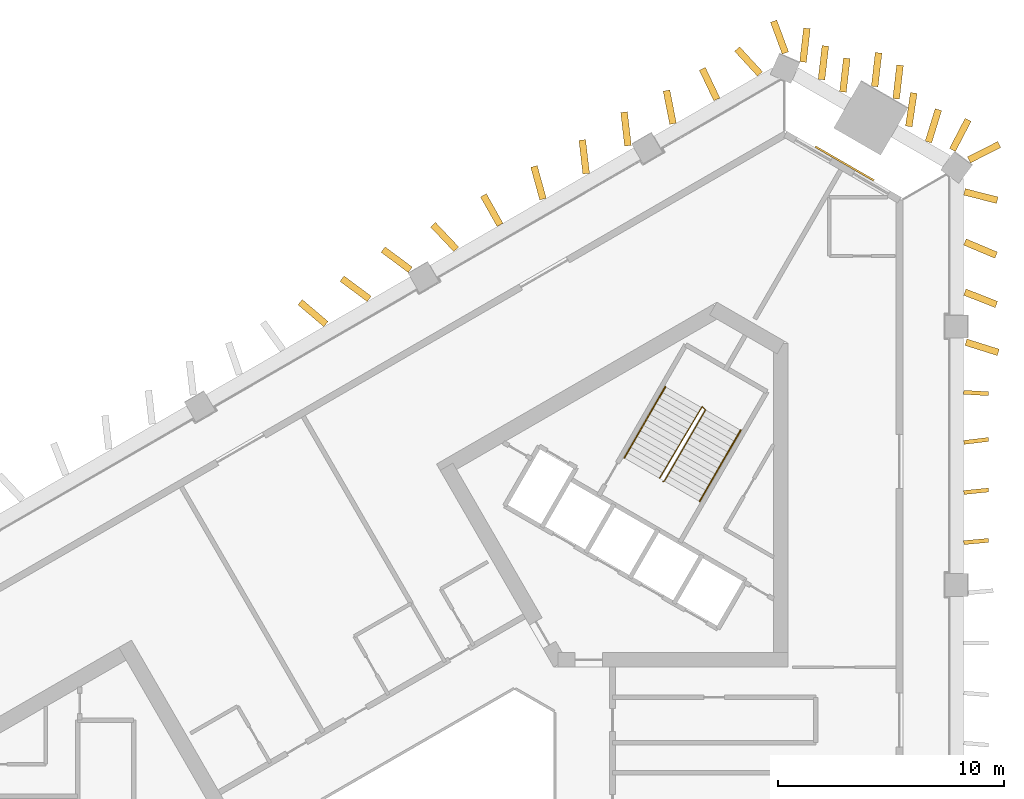
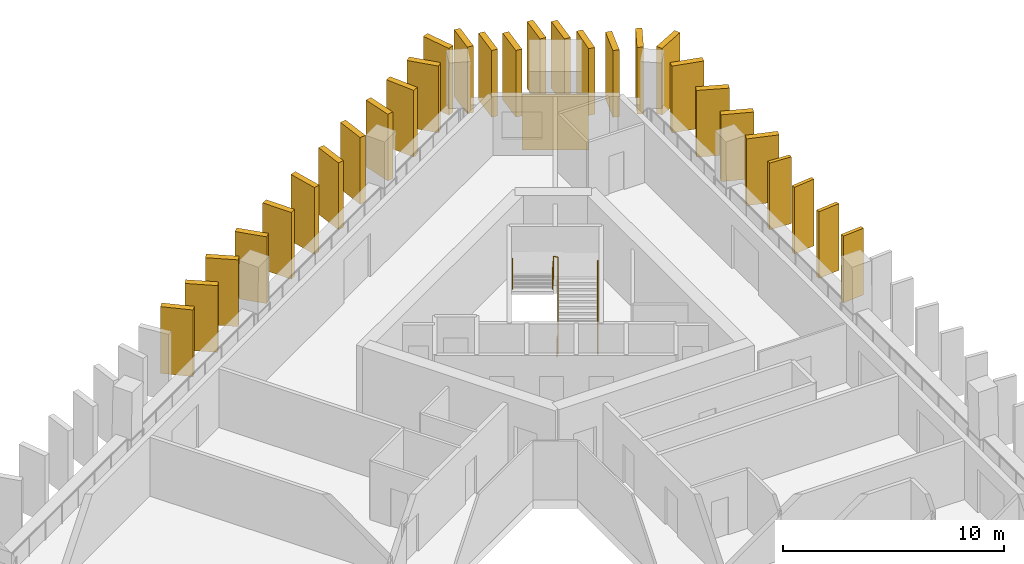
# One storey, part 11 of 11: 29 shading devices, 3 railings, 1 covering.
"""IFC4 building model written with IfcOpenShell, lengths in metres."""

from ifc_helpers import new_model, si_unit, direction, frame, frame_2d, origin, origin_2d, place, context, subcontext, project, spatial, rectangle, circle, extrude, material, layer, layer_set, type_object, element, save


model = new_model("IFC4")

# Units and contexts
model_context = context("Model", 3, precision=1e-05, world=origin(), true_north=direction((0.0, 1.0)))
body_context = subcontext(model_context, "Body", "Model", "MODEL_VIEW")
ifc_project = project(units=[si_unit("LENGTHUNIT", "METRE"), si_unit("AREAUNIT", "SQUARE_METRE"), si_unit("VOLUMEUNIT", "CUBIC_METRE"), si_unit("PLANEANGLEUNIT", "RADIAN"), si_unit("MASSUNIT", "GRAM", prefix="KILO")], contexts=[model_context])

# Site, building, storey
site_placement = place(None, origin())
site = spatial("IfcSite", under=ifc_project, at=site_placement, CompositionType="ELEMENT")
building_placement = place(site_placement, origin())
building = spatial("IfcBuilding", under=site, at=building_placement, Name="Jabali Bay Hotel Tower and Convention Centre", CompositionType="ELEMENT")
storey_placement = place(building_placement, frame((0.0, 0.0, 114.199951171875)))
storey = spatial("IfcBuildingStorey", under=building, at=storey_placement, Name="L27", CompositionType="ELEMENT", Elevation=114.199951171875)

# Shading devices
ifc_material_1 = material(Name="Precast concrete C60", Category="concrete")
ifc_layer_1 = layer(ifc_material_1, 0.179931640625)
ifc_layer_set_1 = layer_set([ifc_layer_1], Name="Precast concrete C60")
shading_device_type_1 = type_object("IfcShadingDeviceType", Name="Precast fin 3680 x 1100", PredefinedType="USERDEFINED", material=ifc_layer_set_1)
for number, where, z_axis, x_axis, name in (
    (1, (97.650390625, 93.30712890625, 0.010009765625), (0.0, 0.0, 1.0), (0.996051735078, 0.088774664445, 0.0), "Fin L27 019"),
    (2, (97.651611328125, 95.52490234375, 0.010009765625), (0.0, 0.0, 1.0), (0.994955553407, 0.10031673213, 0.0), "Fin L27 020"),
):
    element("IfcShadingDevice", number, at=place(storey_placement, frame(where, z_axis=z_axis, x_axis=x_axis)), inside=storey, type_object=shading_device_type_1, Name=name, ObjectType="FIN", PredefinedType="USERDEFINED", context=body_context, shape_type="SweptSolid", body=[
        extrude(rectangle(XDim=1.10009765625, YDim=0.179931640625, at=frame_2d((0.550048828125, 0.0))), origin(), (0.0, 0.0, 1.0), 3.679931640625),
    ])
shading_device_1_placement = place(storey_placement, frame((97.6533203125, 97.742919921875, 0.010009765625), z_axis=(0.0, 0.0, 1.0), x_axis=(0.992896781354, 0.11897891232, 0.0)))
element("IfcShadingDevice", 3, at=shading_device_1_placement, inside=storey, type_object=shading_device_type_1, Name="Fin L27 021", ObjectType="FIN", PredefinedType="USERDEFINED", context=body_context, shape_type="SweptSolid", body=[
    extrude(rectangle(XDim=1.099853515625, YDim=0.179931640625, at=frame_2d((0.5498046875, 0.0))), origin(), (0.0, 0.0, 1.0), 3.679931640625),
])
shading_device_2_placement = place(storey_placement, frame((97.6474609375, 99.960693359375, 0.010009765625), z_axis=(0.0, 0.0, 1.0), x_axis=(0.9984225685, -0.05614601241, 0.0)))
element("IfcShadingDevice", 4, at=shading_device_2_placement, inside=storey, type_object=shading_device_type_1, Name="Fin L27 022", ObjectType="FIN", PredefinedType="USERDEFINED", context=body_context, shape_type="SweptSolid", body=[
    extrude(rectangle(XDim=1.10009765625, YDim=0.179931640625, at=frame_2d((0.550048828125, 0.0))), origin(), (0.0, 0.0, 1.0), 3.679931640625),
])
ifc_layer_2 = layer(ifc_material_1, 0.300048828125)
ifc_layer_set_2 = layer_set([ifc_layer_2], Name="Precast concrete C60")
shading_device_type_2 = type_object("IfcShadingDeviceType", Name="Precast fin 3680 x 1500", PredefinedType="USERDEFINED", material=ifc_layer_set_2)
for number, where, z_axis, x_axis, name in (
    (5, (97.74560546875, 102.178466796875, 0.010009765625), (0.0, 0.0, 1.0), (0.953700655559, -0.300757476361, 0.0), "Fin L27 023"),
    (6, (97.697021484375, 104.396484375, 0.010009765625), (0.0, 0.0, 1.0), (0.931245180888, -0.364393212165, 0.0), "Fin L27 024"),
    (7, (97.70068359375, 106.6142578125, 0.010009765625), (0.0, 0.0, 1.0), (0.921659881712, -0.387998791807, 0.0), "Fin L27 025"),
    (8, (97.67919921875, 108.83203125, 0.010009765625), (0.0, 0.0, 1.0), (0.969777571996, -0.243990698292, 0.0), "Fin L27 026"),
):
    element("IfcShadingDevice", number, at=place(storey_placement, frame(where, z_axis=z_axis, x_axis=x_axis)), inside=storey, type_object=shading_device_type_2, Name=name, ObjectType="FIN", PredefinedType="USERDEFINED", context=body_context, shape_type="SweptSolid", body=[
        extrude(rectangle(XDim=1.5, YDim=0.300048828125, at=frame_2d((0.75, 0.0))), origin(), (0.0, 0.0, 1.0), 3.679931640625),
    ])
shading_device_3_placement = place(storey_placement, frame((97.150390625, 110.69140625, 0.010009765625), z_axis=(0.0, 0.0, 1.0), x_axis=(0.461542320957, 0.887118191655, 0.0)))
element("IfcShadingDevice", 9, at=shading_device_3_placement, inside=storey, type_object=shading_device_type_2, Name="Fin L27 027", ObjectType="FIN", PredefinedType="USERDEFINED", context=body_context, shape_type="SweptSolid", body=[
    extrude(rectangle(XDim=1.500244140625, YDim=0.300048828125, at=frame_2d((0.75, 0.0))), origin(), (0.0, 0.0, 1.0), 3.679931640625),
])
for number, where, z_axis, x_axis, name in (
    (10, (96.0859375, 111.04052734375, 0.010009765625), (0.0, 0.0, 1.0), (0.294417492329, 0.955676901579, 0.0), "Fin L27 028"),
    (11, (95.217529296875, 111.728759765625, 0.010009765625), (0.0, 0.0, 1.0), (0.146979271661, 0.989139572407, 0.0), "Fin L27 029"),
):
    element("IfcShadingDevice", number, at=place(storey_placement, frame(where, z_axis=z_axis, x_axis=x_axis)), inside=storey, type_object=shading_device_type_2, Name=name, ObjectType="FIN", PredefinedType="USERDEFINED", context=body_context, shape_type="SweptSolid", body=[
        extrude(rectangle(XDim=1.5, YDim=0.300048828125, at=frame_2d((0.75, 0.0))), origin(), (0.0, 0.0, 1.0), 3.679931640625),
    ])
for number, where, z_axis, x_axis, name in (
    (12, (94.656494140625, 112.94970703125, 0.010009765625), (0.0, 0.0, 1.0), (0.114735296621, 0.993396100108, 0.0), "Fin L27 030"),
    (13, (93.70703125, 113.497802734375, 0.010009765625), (0.0, 0.0, 1.0), (0.114895894815, 0.993377538177, 0.0), "Fin L27 031"),
):
    element("IfcShadingDevice", number, at=place(storey_placement, frame(where, z_axis=z_axis, x_axis=x_axis)), inside=storey, type_object=shading_device_type_2, Name=name, ObjectType="FIN", PredefinedType="USERDEFINED", context=body_context, shape_type="SweptSolid", body=[
        extrude(rectangle(XDim=1.500244140625, YDim=0.300048828125, at=frame_2d((0.75, 0.0))), origin(), (0.0, 0.0, 1.0), 3.679931640625),
    ])
shading_device_4_placement = place(storey_placement, frame((92.301513671875, 113.255859375, 0.010009765625), z_axis=(0.0, 0.0, 1.0), x_axis=(0.114753848896, 0.993393957181, 0.0)))
element("IfcShadingDevice", 14, at=shading_device_4_placement, inside=storey, type_object=shading_device_type_2, Name="Fin L27 032", ObjectType="FIN", PredefinedType="USERDEFINED", context=body_context, shape_type="SweptSolid", body=[
    extrude(rectangle(XDim=1.5, YDim=0.300048828125, at=frame_2d((0.75, 0.0))), origin(), (0.0, 0.0, 1.0), 3.679931640625),
])
shading_device_5_placement = place(storey_placement, frame((91.35205078125, 113.803955078125, 0.010009765625), z_axis=(0.0, 0.0, 1.0), x_axis=(0.114735296621, 0.993396100108, 0.0)))
element("IfcShadingDevice", 15, at=shading_device_5_placement, inside=storey, type_object=shading_device_type_2, Name="Fin L27 033", ObjectType="FIN", PredefinedType="USERDEFINED", context=body_context, shape_type="SweptSolid", body=[
    extrude(rectangle(XDim=1.500244140625, YDim=0.300048828125, at=frame_2d((0.75, 0.0))), origin(), (0.0, 0.0, 1.0), 3.679931640625),
])
for number, where, z_axis, x_axis, name in (
    (16, (90.534912109375, 114.58154296875, 0.010009765625), (0.0, 0.0, 1.0), (0.114914472364, 0.993375389287, 0.0), "Fin L27 034"),
    (17, (88.6318359375, 114.053466796875, 0.010009765625), (0.0, 0.0, 1.0), (-0.677035376006, 0.73595047363, 0.0), "Fin L27 035"),
    (18, (86.721435546875, 112.92626953125, 0.010009765625), (0.0, 0.0, 1.0), (-0.430337880464, 0.902667883908, 0.0), "Fin L27 036"),
    (19, (84.782470703125, 111.848876953125, 0.010009765625), (0.0, 0.0, 1.0), (-0.195145756449, 0.98077425218, 0.0), "Fin L27 037"),
):
    element("IfcShadingDevice", number, at=place(storey_placement, frame(where, z_axis=z_axis, x_axis=x_axis)), inside=storey, type_object=shading_device_type_2, Name=name, ObjectType="FIN", PredefinedType="USERDEFINED", context=body_context, shape_type="SweptSolid", body=[
        extrude(rectangle(XDim=1.5, YDim=0.300048828125, at=frame_2d((0.75, 0.0))), origin(), (0.0, 0.0, 1.0), 3.679931640625),
    ])
for number, where, z_axis, x_axis, name in (
    (20, (82.784423828125, 110.873779296875, 0.010009765625), (0.0, 0.0, 1.0), (-0.114735296621, 0.993396100108, 0.0), "Fin L27 038"),
    (21, (80.935546875, 109.640869140625, 0.010009765625), (0.0, 0.0, 1.0), (-0.114895894815, 0.993377538177, 0.0), "Fin L27 039"),
):
    element("IfcShadingDevice", number, at=place(storey_placement, frame(where, z_axis=z_axis, x_axis=x_axis)), inside=storey, type_object=shading_device_type_2, Name=name, ObjectType="FIN", PredefinedType="USERDEFINED", context=body_context, shape_type="SweptSolid", body=[
        extrude(rectangle(XDim=1.500244140625, YDim=0.300048828125, at=frame_2d((0.75, 0.0))), origin(), (0.0, 0.0, 1.0), 3.679931640625),
    ])
for number, where, z_axis, x_axis, name in (
    (22, (79.025634765625, 108.512939453125, 0.010009765625), (0.0, 0.0, 1.0), (-0.266930247731, 0.963715851715, 0.0), "Fin L27 040"),
    (23, (77.123046875, 107.372802734375, 0.010009765625), (0.0, 0.0, 1.0), (-0.49087157447, 0.871231942354, 0.0), "Fin L27 041"),
    (24, (75.185546875, 106.292724609375, 0.010009765625), (0.0, 0.0, 1.0), (-0.688141817585, 0.725576211635, 0.0), "Fin L27 042"),
):
    element("IfcShadingDevice", number, at=place(storey_placement, frame(where, z_axis=z_axis, x_axis=x_axis)), inside=storey, type_object=shading_device_type_2, Name=name, ObjectType="FIN", PredefinedType="USERDEFINED", context=body_context, shape_type="SweptSolid", body=[
        extrude(rectangle(XDim=1.5, YDim=0.300048828125, at=frame_2d((0.75, 0.0))), origin(), (0.0, 0.0, 1.0), 3.679931640625),
    ])
shading_device_6_placement = place(storey_placement, frame((73.148681640625, 105.385009765625, 0.010009765625), z_axis=(0.0, 0.0, 1.0), x_axis=(-0.802881868529, 0.596138159479, 0.0)))
element("IfcShadingDevice", 25, at=shading_device_6_placement, inside=storey, type_object=shading_device_type_2, Name="Fin L27 043", ObjectType="FIN", PredefinedType="USERDEFINED", context=body_context, shape_type="SweptSolid", body=[
    extrude(rectangle(XDim=1.499755859375, YDim=0.300048828125, at=frame_2d((0.75, 0.0))), origin(), (0.0, 0.0, 1.0), 3.679931640625),
])
for number, where, z_axis, x_axis, name in (
    (26, (71.331787109375, 104.09619140625, 0.010009765625), (0.0, 0.0, 1.0), (-0.802861809091, 0.596165174681, 0.0), "Fin L27 044"),
    (27, (69.415771484375, 102.9794921875, 0.010009765625), (0.0, 0.0, 1.0), (-0.761927269326, 0.647662594456, 0.0), "Fin L27 045"),
    (28, (97.8837890625, 110.2490234375, 0.010009765625), (0.0, 0.0, 1.0), (0.891015894123, 0.453972109739, 0.0), "Fin L27 106"),
):
    element("IfcShadingDevice", number, at=place(storey_placement, frame(where, z_axis=z_axis, x_axis=x_axis)), inside=storey, type_object=shading_device_type_2, Name=name, ObjectType="FIN", PredefinedType="USERDEFINED", context=body_context, shape_type="SweptSolid", body=[
        extrude(rectangle(XDim=1.5, YDim=0.300048828125, at=frame_2d((0.75, 0.0))), origin(), (0.0, 0.0, 1.0), 3.679931640625),
    ])
shading_device_7_placement = place(storey_placement, frame((89.754638671875, 114.98291015625, 0.010009765625), z_axis=(0.0, 0.0, 1.0), x_axis=(-0.348178355748, 0.937428307973, 0.0)))
element("IfcShadingDevice", 29, at=shading_device_7_placement, inside=storey, type_object=shading_device_type_2, Name="Fin L27 107", ObjectType="FIN", PredefinedType="USERDEFINED", context=body_context, shape_type="SweptSolid", body=[
    extrude(rectangle(XDim=1.499755859375, YDim=0.300048828125, at=frame_2d((0.75, 0.0))), origin(), (0.0, 0.0, 1.0), 3.679931640625),
])

# Covering
ifc_material_2 = material(Name="Precast concrete C40/50", Category="concrete")
ifc_layer_3 = layer(ifc_material_2, 0.080078125)
ifc_layer_set_3 = layer_set([ifc_layer_3], Name="Precast concrete C40/50")
covering_type = type_object("IfcCoveringType", Name="Relief panel 3000 x 3050", PredefinedType="CLADDING", material=ifc_layer_set_3)
covering_placement = place(storey_placement, frame((92.372314453125, 110.08984375, 0.10009765625), z_axis=(0.0, 0.0, 1.0), x_axis=(0.86602540539, -0.499999997219, 0.0)))
element("IfcCovering", 30, at=covering_placement, inside=storey, type_object=covering_type, Name="Relief panel L27", PredefinedType="CLADDING", context=body_context, shape_type="SweptSolid", body=[
    extrude(rectangle(XDim=3.0, YDim=0.080078125, at=origin_2d()), origin(), (0.0, 0.0, 1.0), 3.050048828125),
])

# Railings
ifc_material_3 = material(Name="Steel Q355B", Category="steel")
railing_type_1 = type_object("IfcRailingType", Name="Stair guard 1100", PredefinedType="GUARDRAIL", material=ifc_material_3)
railing_1_placement = place(storey_placement, frame((84.329833984375, 96.010009765625, 0.0)))
element("IfcRailing", 31, at=railing_1_placement, inside=storey, type_object=railing_type_1, Name="L27 ST2 stair guard 1", PredefinedType="GUARDRAIL", context=body_context, shape_type="SweptSolid", body=[
    extrude(circle(Radius=0.02392578125, at=origin_2d()), frame((0.0, 0.0, 1.076171875), z_axis=(0.456201556387, 0.122196845461, 0.881446578591), x_axis=(-0.258736085224, 0.965948051503, 0.0)), (0.0, 0.0, 1.0), 0.14990234375),
    extrude(circle(Radius=0.02392578125, at=origin_2d()), frame((0.068359375, 0.018310546875, 1.2080078125), z_axis=(0.45217862506, 0.783169739339, 0.426825081763), x_axis=(-0.866018046521, 0.500012742938, 0.0)), (0.0, 0.0, 1.0), 4.025146484375),
    extrude(circle(Radius=0.02392578125, at=origin_2d()), frame((1.888427734375, 3.170654296875, 2.92626953125), z_axis=(-0.718850276695, 0.695164929852, 0.0), x_axis=(-0.695164929852, -0.718850276695, 0.0)), (0.0, 0.0, 1.0), 0.2060546875),
    extrude(circle(Radius=0.02392578125, at=origin_2d()), frame((1.740234375, 3.31396484375, 2.92626953125), z_axis=(-0.457457462341, -0.768067235091, 0.448113147015), x_axis=(0.859157857954, -0.511710636118, 0.0)), (0.0, 0.0, 1.0), 4.128173828125),
    extrude(circle(Radius=0.02099609375, at=origin_2d()), origin(), (0.0, 0.0, 1.0), 1.052001953125),
    extrude(circle(Radius=0.02099609375, at=origin_2d()), frame((0.068359375, 0.018310546875, 0.132080078125)), (0.0, 0.0, 1.0), 1.052001953125),
    extrude(circle(Radius=0.02099609375, at=origin_2d()), frame((0.5234375, 0.806396484375, 0.5615234375)), (0.0, 0.0, 1.0), 1.052001953125),
    extrude(circle(Radius=0.02099609375, at=origin_2d()), frame((0.978515625, 1.594482421875, 0.9912109375)), (0.0, 0.0, 1.0), 1.052001953125),
    extrude(circle(Radius=0.02099609375, at=origin_2d()), frame((1.433349609375, 2.382568359375, 1.420654296875)), (0.0, 0.0, 1.0), 1.052001953125),
    extrude(circle(Radius=0.02099609375, at=origin_2d()), frame((1.888427734375, 3.170654296875, 1.85009765625)), (0.0, 0.0, 1.0), 1.052001953125),
    extrude(circle(Radius=0.02099609375, at=origin_2d()), frame((1.740234375, 3.31396484375, 1.85009765625)), (0.0, 0.0, 1.0), 1.052001953125),
    extrude(circle(Radius=0.02099609375, at=origin_2d()), frame((1.26806640625, 2.521240234375, 2.3125)), (0.0, 0.0, 1.0), 1.052001953125),
    extrude(circle(Radius=0.02099609375, at=origin_2d()), frame((0.7958984375, 1.728515625, 2.77490234375)), (0.0, 0.0, 1.0), 1.052001953125),
    extrude(circle(Radius=0.02099609375, at=origin_2d()), frame((0.323974609375, 0.93603515625, 3.237548828125)), (0.0, 0.0, 1.0), 1.052001953125),
    extrude(circle(Radius=0.02099609375, at=origin_2d()), frame((-0.148193359375, 0.143310546875, 3.699951171875)), (0.0, 0.0, 1.0), 1.052001953125),
])
railing_type_2 = type_object("IfcRailingType", Name="Stair handrail 900", PredefinedType="HANDRAIL", material=ifc_material_3)
railing_2_placement = place(storey_placement, frame((85.95703125, 95.128173828125, 0.132080078125)))
element("IfcRailing", 32, at=railing_2_placement, inside=storey, type_object=railing_type_2, Name="L27 ST2 stair handrail 1", PredefinedType="HANDRAIL", context=body_context, shape_type="SweptSolid", body=[
    extrude(circle(Radius=0.02392578125, at=origin_2d()), frame((0.0, 0.0, 0.8759765625), z_axis=(0.45217862506, 0.783169739339, 0.426825081763), x_axis=(-0.866018046521, 0.500012742938, 0.0)), (0.0, 0.0, 1.0), 4.025146484375),
    extrude(circle(Radius=0.02099609375, at=origin_2d()), origin(), (0.0, 0.0, 1.0), 0.851806640625),
    extrude(circle(Radius=0.02099609375, at=origin_2d()), frame((0.455078125, 0.7880859375, 0.429443359375)), (0.0, 0.0, 1.0), 0.851806640625),
    extrude(circle(Radius=0.02099609375, at=origin_2d()), frame((0.91015625, 1.576171875, 0.85888671875)), (0.0, 0.0, 1.0), 0.851806640625),
    extrude(circle(Radius=0.02099609375, at=origin_2d()), frame((1.364990234375, 2.3642578125, 1.28857421875)), (0.0, 0.0, 1.0), 0.851806640625),
    extrude(circle(Radius=0.02099609375, at=origin_2d()), frame((1.820068359375, 3.15234375, 1.718017578125)), (0.0, 0.0, 1.0), 0.851806640625),
])
railing_3_placement = place(storey_placement, frame((84.44287109375, 100.20556640625, 1.982177734375)))
element("IfcRailing", 33, at=railing_3_placement, inside=storey, type_object=railing_type_2, Name="L27 ST2 stair handrail 2", PredefinedType="HANDRAIL", context=body_context, shape_type="SweptSolid", body=[
    extrude(circle(Radius=0.02392578125, at=origin_2d()), frame((0.0, 0.0, 0.8759765625), z_axis=(-0.452190331055, -0.783190014029, 0.426775475427), x_axis=(0.866018046521, -0.500012742938, 0.0)), (0.0, 0.0, 1.0), 4.02490234375),
    extrude(circle(Radius=0.02099609375, at=origin_2d()), origin(), (0.0, 0.0, 1.0), 0.851806640625),
    extrude(circle(Radius=0.02099609375, at=origin_2d()), frame((-0.455078125, -0.7880859375, 0.429443359375)), (0.0, 0.0, 1.0), 0.851806640625),
    extrude(circle(Radius=0.02099609375, at=origin_2d()), frame((-0.91015625, -1.576171875, 0.85888671875)), (0.0, 0.0, 1.0), 0.851806640625),
    extrude(circle(Radius=0.02099609375, at=origin_2d()), frame((-1.364990234375, -2.3642578125, 1.288330078125)), (0.0, 0.0, 1.0), 0.851806640625),
    extrude(circle(Radius=0.02099609375, at=origin_2d()), frame((-1.820068359375, -3.15234375, 1.7177734375)), (0.0, 0.0, 1.0), 0.851806640625),
])

save(model, "model.ifc")
